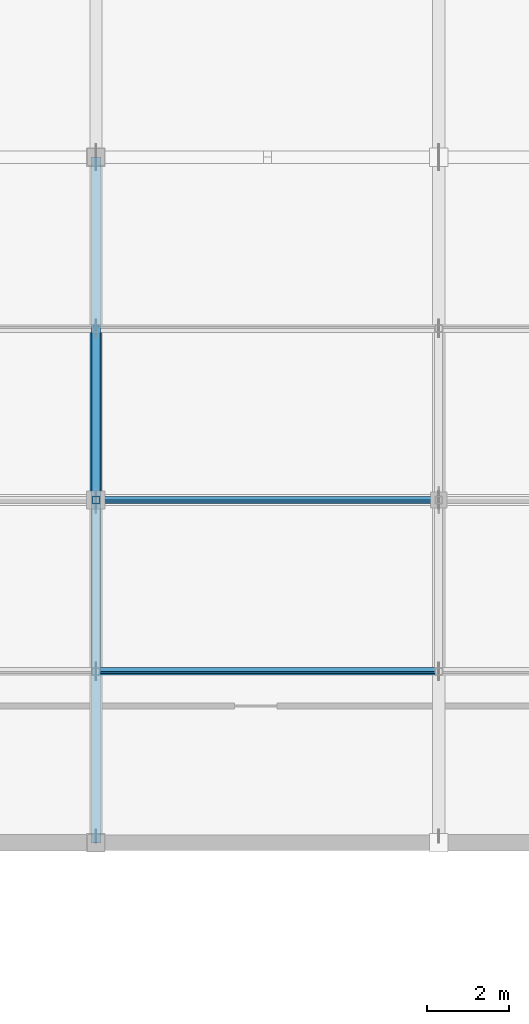
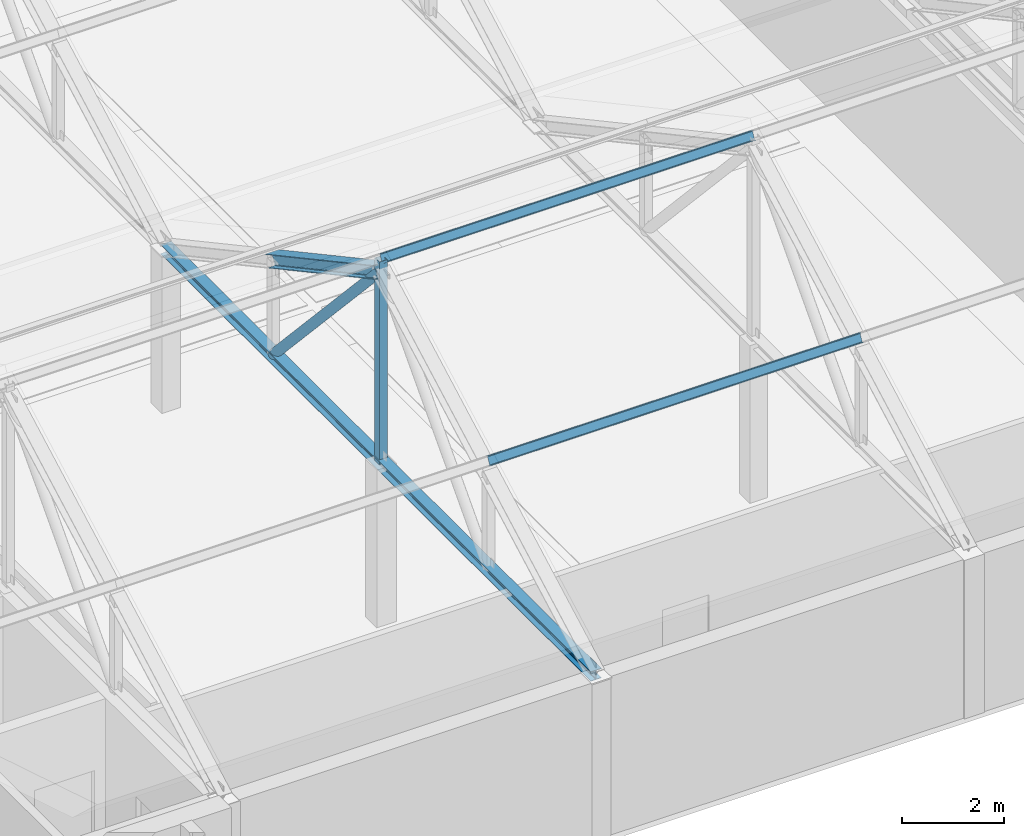
# One storey, part 27 of 110: 6 members.
"""IFC4 building model written with IfcOpenShell, lengths in metres."""

from ifc_helpers import new_model, si_unit, direction, frame, origin, origin_2d, place, context, subcontext, project, spatial, hollow_rectangle, hollow_circle, i_section, extrude, material, material_profile, profile_set, type_object, element, save


model = new_model("IFC4")

# Units and contexts
model_context = context("Model", 3, precision=1e-05, world=origin(), true_north=direction((0.0, 1.0)))
body_context = subcontext(model_context, "Body", "Model", "MODEL_VIEW")
ifc_project = project(units=[si_unit("LENGTHUNIT", "METRE"), si_unit("AREAUNIT", "SQUARE_METRE"), si_unit("VOLUMEUNIT", "CUBIC_METRE"), si_unit("PLANEANGLEUNIT", "RADIAN"), si_unit("MASSUNIT", "GRAM", prefix="KILO")], contexts=[model_context])

# Site, building, storey
site_placement = place(None, origin())
site = spatial("IfcSite", under=ifc_project, at=site_placement, CompositionType="ELEMENT")
building_placement = place(site_placement, origin())
building = spatial("IfcBuilding", under=site, at=building_placement, Name="Kveldsbrygga Polytechnic", CompositionType="ELEMENT")
storey_placement = place(building_placement, frame((0.0, 0.0, 9.860107421875)))
storey = spatial("IfcBuildingStorey", under=building, at=storey_placement, Name="L02", CompositionType="ELEMENT", Elevation=9.860107421875)

# Members
ifc_material = material(Name="Steel S355", Category="steel")
ifc_material_profile_1 = material_profile(ifc_material, i_section(OverallWidth=0.10009765625, OverallDepth=0.199951171875, WebThickness=0.005615234375, FlangeThickness=0.008544921875, FilletRadius=0.011962890625, at=origin_2d()), Name="IPE 200")
ifc_profile_set_1 = profile_set([ifc_material_profile_1], Name="Steel S355")
member_type_1 = type_object("IfcMemberType", Name="PRL-IPE200", PredefinedType="PURLIN", material=ifc_profile_set_1)
for number, where, z_axis, x_axis, name in (
    (1, (58.800048828125, 88.199951171875, 6.33349609375), (1.0, 0.0, 0.0), (0.0, 0.879292204483, -0.476282709256), "Roof Purlin V2L1-PRL-3-1"),
    (2, (58.800048828125, 92.39990234375, 8.608642578125), (1.0, 0.0, 0.0), (0.0, 0.879292204483, -0.476282709256), "Roof Purlin V2L1-PRL-3-2"),
):
    element("IfcMember", number, at=place(storey_placement, frame(where, z_axis=z_axis, x_axis=x_axis)), inside=storey, type_object=member_type_1, Name=name, PredefinedType="PURLIN", context=body_context, shape_type="SweptSolid", body=[
        extrude(i_section(OverallWidth=0.10009765625, OverallDepth=0.199951171875, WebThickness=0.005615234375, FlangeThickness=0.008544921875, FilletRadius=0.011962890625, at=origin_2d()), origin(), (0.0, 0.0, 1.0), 8.39990234375),
    ])
ifc_material_profile_2 = material_profile(ifc_material, i_section(OverallWidth=0.239990234375, OverallDepth=0.22998046875, WebThickness=0.007568359375, FlangeThickness=0.011962890625, FilletRadius=0.02099609375, at=origin_2d()), Name="HEA 240")
ifc_profile_set_2 = profile_set([ifc_material_profile_2], Name="Steel S355")
member_type_2 = type_object("IfcMemberType", Name="TR-BOT-HEA240", PredefinedType="CHORD", material=ifc_profile_set_2)
member_1_placement = place(storey_placement, frame((58.800048828125, 84.0, 3.77978515625), z_axis=(0.0, 1.0, 0.0), x_axis=(-1.0, 0.0, 0.0)))
element("IfcMember", 3, at=member_1_placement, inside=storey, type_object=member_type_2, Name="Truss Bottom Chord V2L1-T03-BC-1", PredefinedType="CHORD", context=body_context, shape_type="SweptSolid", body=[
    extrude(i_section(OverallWidth=0.239990234375, OverallDepth=0.22998046875, WebThickness=0.007568359375, FlangeThickness=0.011962890625, FilletRadius=0.02099609375, at=origin_2d()), origin(), (0.0, 0.0, 1.0), 16.800048828125),
])
ifc_material_profile_3 = material_profile(ifc_material, hollow_circle(Radius=0.109619140625, WallThickness=0.012451171875, at=origin_2d()), Name="CHS 219.1x12.5")
ifc_profile_set_3 = profile_set([ifc_material_profile_3], Name="Steel S355")
member_type_3 = type_object("IfcMemberType", Name="TR-DIAG-CHS219", PredefinedType="BRACE", material=ifc_profile_set_3)
member_2_placement = place(storey_placement, frame((58.800048828125, 92.39990234375, 8.329833984375), z_axis=(0.0, 0.678293202798, -0.734791352043), x_axis=(-1.0, 0.0, 0.0)))
element("IfcMember", 4, at=member_2_placement, inside=storey, type_object=member_type_3, Name="Truss Diagonal V2L1-T03-DG-3", PredefinedType="BRACE", context=body_context, shape_type="SweptSolid", body=[
    extrude(hollow_circle(Radius=0.109619140625, WallThickness=0.012451171875, at=origin_2d()), origin(), (0.0, 0.0, 1.0), 6.1923828125),
])
ifc_material_profile_4 = material_profile(ifc_material, hollow_rectangle(XDim=0.179931640625, YDim=0.179931640625, WallThickness=0.010009765625, at=origin_2d()), Name="SHS 180x180x10.0")
ifc_profile_set_4 = profile_set([ifc_material_profile_4], Name="Steel S355")
member_type_4 = type_object("IfcMemberType", Name="TR-POST-SHS180", PredefinedType="STRUT", material=ifc_profile_set_4)
member_3_placement = place(storey_placement, frame((58.800048828125, 92.39990234375, 3.77978515625), z_axis=(0.0, 0.0, 1.0), x_axis=(1.0, 0.0, 0.0)))
element("IfcMember", 5, at=member_3_placement, inside=storey, type_object=member_type_4, Name="Truss Vertical V2L1-T03-VT-2", PredefinedType="STRUT", context=body_context, shape_type="SweptSolid", body=[
    extrude(hollow_rectangle(XDim=0.179931640625, YDim=0.179931640625, WallThickness=0.010009765625, at=origin_2d()), origin(), (0.0, 0.0, 1.0), 4.828857421875),
])
ifc_material_profile_5 = material_profile(ifc_material, i_section(OverallWidth=0.300048828125, OverallDepth=0.2900390625, WebThickness=0.008544921875, FlangeThickness=0.013916015625, FilletRadius=0.027099609375, at=origin_2d()), Name="HEA 300")
ifc_profile_set_5 = profile_set([ifc_material_profile_5], Name="Steel S355")
member_type_5 = type_object("IfcMemberType", Name="TR-TOP-HEA300", PredefinedType="CHORD", material=ifc_profile_set_5)
member_4_placement = place(storey_placement, frame((58.800048828125, 92.39990234375, 8.329833984375), z_axis=(0.0, 0.879309803238, -0.476250217773), x_axis=(-1.0, 0.0, 0.0)))
element("IfcMember", 6, at=member_4_placement, inside=storey, type_object=member_type_5, Name="Truss Top Chord V2L1-T03-TC-3", PredefinedType="CHORD", context=body_context, shape_type="SweptSolid", body=[
    extrude(i_section(OverallWidth=0.300048828125, OverallDepth=0.2900390625, WebThickness=0.008544921875, FlangeThickness=0.013916015625, FilletRadius=0.027099609375, at=origin_2d()), origin(), (0.0, 0.0, 1.0), 4.776611328125),
])

save(model, "model.ifc")
